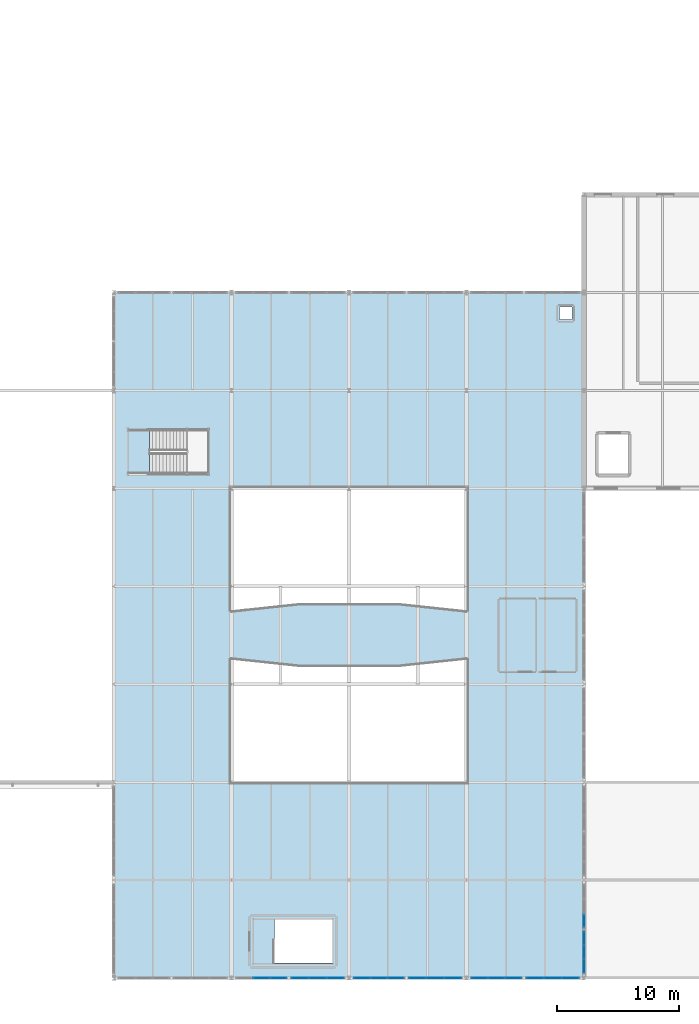
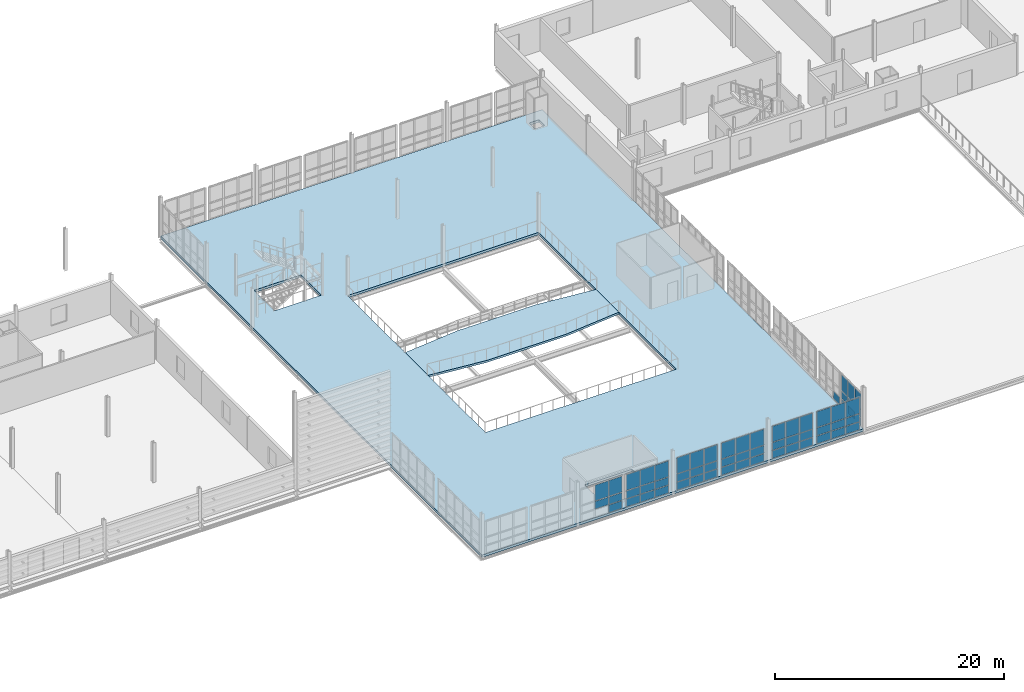
# One storey, part 48 of 73: 60 plates, 2 slabs, 8 elements without a shape of their own.
"""IFC4 building model written with IfcOpenShell, lengths in metres."""

from ifc_helpers import new_model, si_unit, direction, frame, origin, origin_2d, place, context, subcontext, project, spatial, polyline, rectangle, outline, extrude, material, layer, layer_set, type_object, element, aggregate, save


model = new_model("IFC4")

# Units and contexts
model_context = context("Model", 3, precision=1e-05, world=origin(), true_north=direction((0.0, 1.0)))
body_context = subcontext(model_context, "Body", "Model", "MODEL_VIEW")
ifc_project = project(units=[si_unit("LENGTHUNIT", "METRE"), si_unit("AREAUNIT", "SQUARE_METRE"), si_unit("VOLUMEUNIT", "CUBIC_METRE"), si_unit("PLANEANGLEUNIT", "RADIAN"), si_unit("MASSUNIT", "GRAM", prefix="KILO")], contexts=[model_context])

# Site, building, storey
site_placement = place(None, origin())
site = spatial("IfcSite", under=ifc_project, at=site_placement, CompositionType="ELEMENT")
building_placement = place(site_placement, origin())
building = spatial("IfcBuilding", under=site, at=building_placement, Name="Alderhovde Museum", CompositionType="ELEMENT")
storey_placement = place(building_placement, frame((0.0, 0.0, 12.89990234375)))
storey = spatial("IfcBuildingStorey", under=building, at=storey_placement, Name="L03", CompositionType="ELEMENT", Elevation=12.89990234375)

# Curtain wall, plates
ifc_material_1 = material(Name="Triple-Glazed Bronze-Anodised Curtain Wall", Category="glass")
ifc_layer_1 = layer(ifc_material_1, 0.179931640625)
ifc_layer_set_1 = layer_set([ifc_layer_1], Name="Triple-Glazed Bronze-Anodised Curtain Wall")
curtain_wall_type_1 = type_object("IfcCurtainWallType", Name="CW-UNIT-420x354", PredefinedType="USERDEFINED", material=ifc_layer_set_1)
curtain_wall_1_placement = place(storey_placement, origin())
curtain_wall_1 = element("IfcCurtainWall", 1, at=curtain_wall_1_placement, inside=storey, type_object=curtain_wall_type_1, Name="L03 Unitised Curtain Wall 60", ObjectType="UNITISED CURTAIN WALL", PredefinedType="USERDEFINED")
ifc_material_2 = material(Name="Triple-Glazed Low-E Laminated Glass", Category="glass")
ifc_layer_2 = layer(ifc_material_2, 0.028076171875)
ifc_layer_set_2 = layer_set([ifc_layer_2], Name="Triple-Glazed Low-E Laminated Glass")
plate_type_1 = type_object("IfcPlateType", Name="CWP-GLAZ-28", PredefinedType="CURTAIN_PANEL", material=ifc_layer_set_2)
plate_1_placement = place(storey_placement, frame((97.066162109375, 32.0, 0.06494140625), z_axis=(0.0, 0.0, 1.0), x_axis=(1.0, 0.0, 0.0)))
plate_1 = element("IfcPlate", 2, at=plate_1_placement, type_object=plate_type_1, Name="CW15 panel 1.1", PredefinedType="CURTAIN_PANEL", context=body_context, shape_type="SweptSolid", body=[
    extrude(rectangle(XDim=1.302490234375, YDim=0.028076171875, at=origin_2d()), origin(), (0.0, 0.0, 1.0), 0.802490234375),
])
plate_2_placement = place(storey_placement, frame((97.066162109375, 32.0, 0.9326171875), z_axis=(0.0, 0.0, 1.0), x_axis=(1.0, 0.0, 0.0)))
plate_2 = element("IfcPlate", 3, at=plate_2_placement, type_object=plate_type_1, Name="CW15 panel 1.2", PredefinedType="CURTAIN_PANEL", context=body_context, shape_type="SweptSolid", body=[
    extrude(rectangle(XDim=1.302490234375, YDim=0.028076171875, at=origin_2d()), origin(), (0.0, 0.0, 1.0), 0.804931640625),
])
plate_3_placement = place(storey_placement, frame((97.066162109375, 32.0, 1.802734375), z_axis=(0.0, 0.0, 1.0), x_axis=(1.0, 0.0, 0.0)))
plate_3 = element("IfcPlate", 4, at=plate_3_placement, type_object=plate_type_1, Name="CW15 panel 1.3", PredefinedType="CURTAIN_PANEL", context=body_context, shape_type="SweptSolid", body=[
    extrude(rectangle(XDim=1.302490234375, YDim=0.028076171875, at=origin_2d()), origin(), (0.0, 0.0, 1.0), 1.672607421875),
])
plate_4_placement = place(storey_placement, frame((98.449951171875, 32.0, 0.06494140625), z_axis=(0.0, 0.0, 1.0), x_axis=(1.0, 0.0, 0.0)))
plate_4 = element("IfcPlate", 5, at=plate_4_placement, type_object=plate_type_1, Name="CW15 panel 2.1", PredefinedType="CURTAIN_PANEL", context=body_context, shape_type="SweptSolid", body=[
    extrude(rectangle(XDim=1.3349609375, YDim=0.028076171875, at=origin_2d()), origin(), (0.0, 0.0, 1.0), 0.802490234375),
])
plate_5_placement = place(storey_placement, frame((98.449951171875, 32.0, 0.9326171875), z_axis=(0.0, 0.0, 1.0), x_axis=(1.0, 0.0, 0.0)))
plate_5 = element("IfcPlate", 6, at=plate_5_placement, type_object=plate_type_1, Name="CW15 panel 2.2", PredefinedType="CURTAIN_PANEL", context=body_context, shape_type="SweptSolid", body=[
    extrude(rectangle(XDim=1.3349609375, YDim=0.028076171875, at=origin_2d()), origin(), (0.0, 0.0, 1.0), 0.804931640625),
])
plate_6_placement = place(storey_placement, frame((98.449951171875, 32.0, 1.802734375), z_axis=(0.0, 0.0, 1.0), x_axis=(1.0, 0.0, 0.0)))
plate_6 = element("IfcPlate", 7, at=plate_6_placement, type_object=plate_type_1, Name="CW15 panel 2.3", PredefinedType="CURTAIN_PANEL", context=body_context, shape_type="SweptSolid", body=[
    extrude(rectangle(XDim=1.3349609375, YDim=0.028076171875, at=origin_2d()), origin(), (0.0, 0.0, 1.0), 1.672607421875),
])
plate_7_placement = place(storey_placement, frame((99.833740234375, 32.0, 0.06494140625), z_axis=(0.0, 0.0, 1.0), x_axis=(1.0, 0.0, 0.0)))
plate_7 = element("IfcPlate", 8, at=plate_7_placement, type_object=plate_type_1, Name="CW15 panel 3.1", PredefinedType="CURTAIN_PANEL", context=body_context, shape_type="SweptSolid", body=[
    extrude(rectangle(XDim=1.302490234375, YDim=0.028076171875, at=origin_2d()), origin(), (0.0, 0.0, 1.0), 0.802490234375),
])
plate_8_placement = place(storey_placement, frame((99.833740234375, 32.0, 0.9326171875), z_axis=(0.0, 0.0, 1.0), x_axis=(1.0, 0.0, 0.0)))
plate_8 = element("IfcPlate", 9, at=plate_8_placement, type_object=plate_type_1, Name="CW15 panel 3.2", PredefinedType="CURTAIN_PANEL", context=body_context, shape_type="SweptSolid", body=[
    extrude(rectangle(XDim=1.302490234375, YDim=0.028076171875, at=origin_2d()), origin(), (0.0, 0.0, 1.0), 0.804931640625),
])
plate_9_placement = place(storey_placement, frame((99.833740234375, 32.0, 1.802734375), z_axis=(0.0, 0.0, 1.0), x_axis=(1.0, 0.0, 0.0)))
plate_9 = element("IfcPlate", 10, at=plate_9_placement, type_object=plate_type_1, Name="CW15 panel 3.3", PredefinedType="CURTAIN_PANEL", context=body_context, shape_type="SweptSolid", body=[
    extrude(rectangle(XDim=1.302490234375, YDim=0.028076171875, at=origin_2d()), origin(), (0.0, 0.0, 1.0), 1.672607421875),
])
aggregate(curtain_wall_1, [plate_1, plate_2, plate_3, plate_4, plate_5, plate_6, plate_7, plate_8, plate_9])

ifc_material_3 = material(Name="Triple-Glazed Bronze-Anodised Curtain Wall", Category="glass")
ifc_layer_3 = layer(ifc_material_3, 0.179931640625)
ifc_layer_set_3 = layer_set([ifc_layer_3], Name="Triple-Glazed Bronze-Anodised Curtain Wall")
curtain_wall_type_2 = type_object("IfcCurtainWallType", Name="CW-UNIT-350x354", PredefinedType="USERDEFINED", material=ifc_layer_set_3)
curtain_wall_2_placement = place(storey_placement, origin())
curtain_wall_2 = element("IfcCurtainWall", 11, at=curtain_wall_2_placement, inside=storey, type_object=curtain_wall_type_2, Name="L03 Unitised Curtain Wall 68", ObjectType="UNITISED CURTAIN WALL", PredefinedType="USERDEFINED")
plate_10_placement = place(storey_placement, frame((115.199951171875, 32.949462890625, 0.06494140625), z_axis=(0.0, 0.0, 1.0), x_axis=(0.0, 1.0, 0.0)))
plate_10 = element("IfcPlate", 12, at=plate_10_placement, type_object=plate_type_1, Name="CW19 panel 1.1", PredefinedType="CURTAIN_PANEL", context=body_context, shape_type="SweptSolid", body=[
    extrude(rectangle(XDim=1.069091796875, YDim=0.028076171875, at=origin_2d()), origin(), (0.0, 0.0, 1.0), 0.802490234375),
])
plate_11_placement = place(storey_placement, frame((115.199951171875, 32.949462890625, 0.9326171875), z_axis=(0.0, 0.0, 1.0), x_axis=(0.0, 1.0, 0.0)))
plate_11 = element("IfcPlate", 13, at=plate_11_placement, type_object=plate_type_1, Name="CW19 panel 1.2", PredefinedType="CURTAIN_PANEL", context=body_context, shape_type="SweptSolid", body=[
    extrude(rectangle(XDim=1.069091796875, YDim=0.028076171875, at=origin_2d()), origin(), (0.0, 0.0, 1.0), 0.804931640625),
])
plate_12_placement = place(storey_placement, frame((115.199951171875, 32.949462890625, 1.802734375), z_axis=(0.0, 0.0, 1.0), x_axis=(0.0, 1.0, 0.0)))
plate_12 = element("IfcPlate", 14, at=plate_12_placement, type_object=plate_type_1, Name="CW19 panel 1.3", PredefinedType="CURTAIN_PANEL", context=body_context, shape_type="SweptSolid", body=[
    extrude(rectangle(XDim=1.069091796875, YDim=0.028076171875, at=origin_2d()), origin(), (0.0, 0.0, 1.0), 1.672607421875),
])
plate_13_placement = place(storey_placement, frame((115.199951171875, 34.10009765625, 0.06494140625), z_axis=(0.0, 0.0, 1.0), x_axis=(0.0, 1.0, 0.0)))
plate_13 = element("IfcPlate", 15, at=plate_13_placement, type_object=plate_type_1, Name="CW19 panel 2.1", PredefinedType="CURTAIN_PANEL", context=body_context, shape_type="SweptSolid", body=[
    extrude(rectangle(XDim=1.1015625, YDim=0.028076171875, at=origin_2d()), origin(), (0.0, 0.0, 1.0), 0.802490234375),
])
plate_14_placement = place(storey_placement, frame((115.199951171875, 34.10009765625, 0.9326171875), z_axis=(0.0, 0.0, 1.0), x_axis=(0.0, 1.0, 0.0)))
plate_14 = element("IfcPlate", 16, at=plate_14_placement, type_object=plate_type_1, Name="CW19 panel 2.2", PredefinedType="CURTAIN_PANEL", context=body_context, shape_type="SweptSolid", body=[
    extrude(rectangle(XDim=1.1015625, YDim=0.028076171875, at=origin_2d()), origin(), (0.0, 0.0, 1.0), 0.804931640625),
])
plate_15_placement = place(storey_placement, frame((115.199951171875, 34.10009765625, 1.802734375), z_axis=(0.0, 0.0, 1.0), x_axis=(0.0, 1.0, 0.0)))
plate_15 = element("IfcPlate", 17, at=plate_15_placement, type_object=plate_type_1, Name="CW19 panel 2.3", PredefinedType="CURTAIN_PANEL", context=body_context, shape_type="SweptSolid", body=[
    extrude(rectangle(XDim=1.1015625, YDim=0.028076171875, at=origin_2d()), origin(), (0.0, 0.0, 1.0), 1.672607421875),
])
plate_16_placement = place(storey_placement, frame((115.199951171875, 35.25048828125, 0.06494140625), z_axis=(0.0, 0.0, 1.0), x_axis=(0.0, 1.0, 0.0)))
plate_16 = element("IfcPlate", 18, at=plate_16_placement, type_object=plate_type_1, Name="CW19 panel 3.1", PredefinedType="CURTAIN_PANEL", context=body_context, shape_type="SweptSolid", body=[
    extrude(rectangle(XDim=1.069091796875, YDim=0.028076171875, at=origin_2d()), origin(), (0.0, 0.0, 1.0), 0.802490234375),
])
plate_17_placement = place(storey_placement, frame((115.199951171875, 35.25048828125, 0.9326171875), z_axis=(0.0, 0.0, 1.0), x_axis=(0.0, 1.0, 0.0)))
plate_17 = element("IfcPlate", 19, at=plate_17_placement, type_object=plate_type_1, Name="CW19 panel 3.2", PredefinedType="CURTAIN_PANEL", context=body_context, shape_type="SweptSolid", body=[
    extrude(rectangle(XDim=1.069091796875, YDim=0.028076171875, at=origin_2d()), origin(), (0.0, 0.0, 1.0), 0.804931640625),
])
plate_18_placement = place(storey_placement, frame((115.199951171875, 35.25048828125, 1.802734375), z_axis=(0.0, 0.0, 1.0), x_axis=(0.0, 1.0, 0.0)))
plate_18 = element("IfcPlate", 20, at=plate_18_placement, type_object=plate_type_1, Name="CW19 panel 3.3", PredefinedType="CURTAIN_PANEL", context=body_context, shape_type="SweptSolid", body=[
    extrude(rectangle(XDim=1.069091796875, YDim=0.028076171875, at=origin_2d()), origin(), (0.0, 0.0, 1.0), 1.672607421875),
])
aggregate(curtain_wall_2, [plate_10, plate_11, plate_12, plate_13, plate_14, plate_15, plate_16, plate_17, plate_18])

ifc_material_4 = material(Name="Triple-Glazed Bronze-Anodised Curtain Wall", Category="glass")
ifc_layer_4 = layer(ifc_material_4, 0.179931640625)
ifc_layer_set_4 = layer_set([ifc_layer_4], Name="Triple-Glazed Bronze-Anodised Curtain Wall")
curtain_wall_type_3 = type_object("IfcCurtainWallType", Name="CW-UNIT-440x354", PredefinedType="USERDEFINED", material=ifc_layer_set_4)
curtain_wall_3_placement = place(storey_placement, origin())
curtain_wall_3 = element("IfcCurtainWall", 21, at=curtain_wall_3_placement, inside=storey, type_object=curtain_wall_type_3, Name="L03 Unitised Curtain Wall 61", ObjectType="UNITISED CURTAIN WALL", PredefinedType="USERDEFINED")
ifc_material_5 = material(Name="Triple-Glazed Low-E Laminated Glass", Category="glass")
ifc_layer_5 = layer(ifc_material_5, 0.035888671875)
ifc_layer_set_5 = layer_set([ifc_layer_5], Name="Triple-Glazed Low-E Laminated Glass")
plate_type_2 = type_object("IfcPlateType", Name="CWP-GLAZ-36", PredefinedType="CURTAIN_PANEL", material=ifc_layer_set_5)
plate_19_placement = place(storey_placement, frame((101.599609375, 32.0, 0.06494140625), z_axis=(0.0, 0.0, 1.0), x_axis=(1.0, 0.0, 0.0)))
plate_19 = element("IfcPlate", 22, at=plate_19_placement, type_object=plate_type_2, Name="CW16 panel 1.1", PredefinedType="CURTAIN_PANEL", context=body_context, shape_type="SweptSolid", body=[
    extrude(rectangle(XDim=1.369140625, YDim=0.035888671875, at=origin_2d()), origin(), (0.0, 0.0, 1.0), 0.802490234375),
])
plate_20_placement = place(storey_placement, frame((101.599609375, 32.0, 0.9326171875), z_axis=(0.0, 0.0, 1.0), x_axis=(1.0, 0.0, 0.0)))
plate_20 = element("IfcPlate", 23, at=plate_20_placement, type_object=plate_type_2, Name="CW16 panel 1.2", PredefinedType="CURTAIN_PANEL", context=body_context, shape_type="SweptSolid", body=[
    extrude(rectangle(XDim=1.369140625, YDim=0.035888671875, at=origin_2d()), origin(), (0.0, 0.0, 1.0), 0.804931640625),
])
plate_21_placement = place(storey_placement, frame((101.599609375, 32.0, 1.802734375), z_axis=(0.0, 0.0, 1.0), x_axis=(1.0, 0.0, 0.0)))
plate_21 = element("IfcPlate", 24, at=plate_21_placement, type_object=plate_type_2, Name="CW16 panel 1.3", PredefinedType="CURTAIN_PANEL", context=body_context, shape_type="SweptSolid", body=[
    extrude(rectangle(XDim=1.369140625, YDim=0.035888671875, at=origin_2d()), origin(), (0.0, 0.0, 1.0), 1.672607421875),
])
plate_22_placement = place(storey_placement, frame((103.050048828125, 32.0, 0.06494140625), z_axis=(0.0, 0.0, 1.0), x_axis=(1.0, 0.0, 0.0)))
plate_22 = element("IfcPlate", 25, at=plate_22_placement, type_object=plate_type_2, Name="CW16 panel 2.1", PredefinedType="CURTAIN_PANEL", context=body_context, shape_type="SweptSolid", body=[
    extrude(rectangle(XDim=1.401611328125, YDim=0.035888671875, at=origin_2d()), origin(), (0.0, 0.0, 1.0), 0.802490234375),
])
plate_23_placement = place(storey_placement, frame((103.050048828125, 32.0, 0.9326171875), z_axis=(0.0, 0.0, 1.0), x_axis=(1.0, 0.0, 0.0)))
plate_23 = element("IfcPlate", 26, at=plate_23_placement, type_object=plate_type_2, Name="CW16 panel 2.2", PredefinedType="CURTAIN_PANEL", context=body_context, shape_type="SweptSolid", body=[
    extrude(rectangle(XDim=1.401611328125, YDim=0.035888671875, at=origin_2d()), origin(), (0.0, 0.0, 1.0), 0.804931640625),
])
plate_24_placement = place(storey_placement, frame((103.050048828125, 32.0, 1.802734375), z_axis=(0.0, 0.0, 1.0), x_axis=(1.0, 0.0, 0.0)))
plate_24 = element("IfcPlate", 27, at=plate_24_placement, type_object=plate_type_2, Name="CW16 panel 2.3", PredefinedType="CURTAIN_PANEL", context=body_context, shape_type="SweptSolid", body=[
    extrude(rectangle(XDim=1.401611328125, YDim=0.035888671875, at=origin_2d()), origin(), (0.0, 0.0, 1.0), 1.672607421875),
])
plate_25_placement = place(storey_placement, frame((104.50048828125, 32.0, 0.06494140625), z_axis=(0.0, 0.0, 1.0), x_axis=(1.0, 0.0, 0.0)))
plate_25 = element("IfcPlate", 28, at=plate_25_placement, type_object=plate_type_2, Name="CW16 panel 3.1", PredefinedType="CURTAIN_PANEL", context=body_context, shape_type="SweptSolid", body=[
    extrude(rectangle(XDim=1.369140625, YDim=0.035888671875, at=origin_2d()), origin(), (0.0, 0.0, 1.0), 0.802490234375),
])
plate_26_placement = place(storey_placement, frame((104.50048828125, 32.0, 0.9326171875), z_axis=(0.0, 0.0, 1.0), x_axis=(1.0, 0.0, 0.0)))
plate_26 = element("IfcPlate", 29, at=plate_26_placement, type_object=plate_type_2, Name="CW16 panel 3.2", PredefinedType="CURTAIN_PANEL", context=body_context, shape_type="SweptSolid", body=[
    extrude(rectangle(XDim=1.369140625, YDim=0.035888671875, at=origin_2d()), origin(), (0.0, 0.0, 1.0), 0.804931640625),
])
plate_27_placement = place(storey_placement, frame((104.50048828125, 32.0, 1.802734375), z_axis=(0.0, 0.0, 1.0), x_axis=(1.0, 0.0, 0.0)))
plate_27 = element("IfcPlate", 30, at=plate_27_placement, type_object=plate_type_2, Name="CW16 panel 3.3", PredefinedType="CURTAIN_PANEL", context=body_context, shape_type="SweptSolid", body=[
    extrude(rectangle(XDim=1.369140625, YDim=0.035888671875, at=origin_2d()), origin(), (0.0, 0.0, 1.0), 1.672607421875),
])
aggregate(curtain_wall_3, [plate_19, plate_20, plate_21, plate_22, plate_23, plate_24, plate_25, plate_26, plate_27])

# Curtain wall, plate
ifc_material_6 = material(Name="Triple-Glazed Bronze-Anodised Curtain Wall", Category="glass")
ifc_layer_6 = layer(ifc_material_6, 0.179931640625)
ifc_layer_set_6 = layer_set([ifc_layer_6], Name="Triple-Glazed Bronze-Anodised Curtain Wall")
curtain_wall_type_4 = type_object("IfcCurtainWallType", Name="CW-UNIT-360x354", PredefinedType="USERDEFINED", material=ifc_layer_set_6)
curtain_wall_4_placement = place(storey_placement, origin())
curtain_wall_4 = element("IfcCurtainWall", 31, at=curtain_wall_4_placement, inside=storey, type_object=curtain_wall_type_4, Name="L03 Unitised Curtain Wall 69", ObjectType="UNITISED CURTAIN WALL", PredefinedType="USERDEFINED")
plate_28_placement = place(storey_placement, frame((115.199951171875, 36.666259765625, 0.06494140625), z_axis=(0.0, 0.0, 1.0), x_axis=(0.0, 1.0, 0.0)))
plate_28 = element("IfcPlate", 32, at=plate_28_placement, type_object=plate_type_2, Name="CW20 panel 1.1", PredefinedType="CURTAIN_PANEL", context=body_context, shape_type="SweptSolid", body=[
    extrude(rectangle(XDim=1.1025390625, YDim=0.035888671875, at=origin_2d()), origin(), (0.0, 0.0, 1.0), 0.802490234375),
])
aggregate(curtain_wall_4, [plate_28])

# Curtain wall, plates
curtain_wall_5_placement = place(storey_placement, origin())
curtain_wall_5 = element("IfcCurtainWall", 33, at=curtain_wall_5_placement, inside=storey, type_object=curtain_wall_type_1, Name="L03 Unitised Curtain Wall 58", ObjectType="UNITISED CURTAIN WALL", PredefinedType="USERDEFINED")
ifc_material_7 = material(Name="Triple-Glazed Low-E Laminated Glass", Category="glass")
ifc_layer_7 = layer(ifc_material_7, 0.0439453125)
ifc_layer_set_7 = layer_set([ifc_layer_7], Name="Triple-Glazed Low-E Laminated Glass")
plate_type_3 = type_object("IfcPlateType", Name="CWP-GLAZ-44", PredefinedType="CURTAIN_PANEL", material=ifc_layer_set_7)
plate_29_placement = place(storey_placement, frame((88.85009765625, 32.0, 0.9326171875), z_axis=(0.0, 0.0, 1.0), x_axis=(1.0, 0.0, 0.0)))
plate_29 = element("IfcPlate", 34, at=plate_29_placement, type_object=plate_type_3, Name="CW15 panel 2.2", PredefinedType="CURTAIN_PANEL", context=body_context, shape_type="SweptSolid", body=[
    extrude(rectangle(XDim=1.3349609375, YDim=0.0439453125, at=origin_2d()), origin(), (0.0, 0.0, 1.0), 0.804931640625),
])
plate_30_placement = place(storey_placement, frame((88.85009765625, 32.0, 1.802734375), z_axis=(0.0, 0.0, 1.0), x_axis=(1.0, 0.0, 0.0)))
plate_30 = element("IfcPlate", 35, at=plate_30_placement, type_object=plate_type_3, Name="CW15 panel 2.3", PredefinedType="CURTAIN_PANEL", context=body_context, shape_type="SweptSolid", body=[
    extrude(rectangle(XDim=1.3349609375, YDim=0.0439453125, at=origin_2d()), origin(), (0.0, 0.0, 1.0), 1.672607421875),
])
plate_31_placement = place(storey_placement, frame((90.233642578125, 32.0, 0.06494140625), z_axis=(0.0, 0.0, 1.0), x_axis=(1.0, 0.0, 0.0)))
plate_31 = element("IfcPlate", 36, at=plate_31_placement, type_object=plate_type_3, Name="CW15 panel 3.1", PredefinedType="CURTAIN_PANEL", context=body_context, shape_type="SweptSolid", body=[
    extrude(rectangle(XDim=1.302490234375, YDim=0.0439453125, at=origin_2d()), origin(), (0.0, 0.0, 1.0), 0.802490234375),
])
plate_32_placement = place(storey_placement, frame((90.233642578125, 32.0, 0.9326171875), z_axis=(0.0, 0.0, 1.0), x_axis=(1.0, 0.0, 0.0)))
plate_32 = element("IfcPlate", 37, at=plate_32_placement, type_object=plate_type_3, Name="CW15 panel 3.2", PredefinedType="CURTAIN_PANEL", context=body_context, shape_type="SweptSolid", body=[
    extrude(rectangle(XDim=1.302490234375, YDim=0.0439453125, at=origin_2d()), origin(), (0.0, 0.0, 1.0), 0.804931640625),
])
plate_33_placement = place(storey_placement, frame((90.233642578125, 32.0, 1.802734375), z_axis=(0.0, 0.0, 1.0), x_axis=(1.0, 0.0, 0.0)))
plate_33 = element("IfcPlate", 38, at=plate_33_placement, type_object=plate_type_3, Name="CW15 panel 3.3", PredefinedType="CURTAIN_PANEL", context=body_context, shape_type="SweptSolid", body=[
    extrude(rectangle(XDim=1.302490234375, YDim=0.0439453125, at=origin_2d()), origin(), (0.0, 0.0, 1.0), 1.672607421875),
])
aggregate(curtain_wall_5, [plate_29, plate_30, plate_31, plate_32, plate_33])

curtain_wall_6_placement = place(storey_placement, origin())
curtain_wall_6 = element("IfcCurtainWall", 39, at=curtain_wall_6_placement, inside=storey, type_object=curtain_wall_type_1, Name="L03 Unitised Curtain Wall 62", ObjectType="UNITISED CURTAIN WALL", PredefinedType="USERDEFINED")
plate_34_placement = place(storey_placement, frame((106.666259765625, 32.0, 0.06494140625), z_axis=(0.0, 0.0, 1.0), x_axis=(1.0, 0.0, 0.0)))
plate_34 = element("IfcPlate", 40, at=plate_34_placement, type_object=plate_type_3, Name="CW15 panel 1.1", PredefinedType="CURTAIN_PANEL", context=body_context, shape_type="SweptSolid", body=[
    extrude(rectangle(XDim=1.302490234375, YDim=0.0439453125, at=origin_2d()), origin(), (0.0, 0.0, 1.0), 0.802490234375),
])
plate_35_placement = place(storey_placement, frame((106.666259765625, 32.0, 0.9326171875), z_axis=(0.0, 0.0, 1.0), x_axis=(1.0, 0.0, 0.0)))
plate_35 = element("IfcPlate", 41, at=plate_35_placement, type_object=plate_type_3, Name="CW15 panel 1.2", PredefinedType="CURTAIN_PANEL", context=body_context, shape_type="SweptSolid", body=[
    extrude(rectangle(XDim=1.302490234375, YDim=0.0439453125, at=origin_2d()), origin(), (0.0, 0.0, 1.0), 0.804931640625),
])
plate_36_placement = place(storey_placement, frame((106.666259765625, 32.0, 1.802734375), z_axis=(0.0, 0.0, 1.0), x_axis=(1.0, 0.0, 0.0)))
plate_36 = element("IfcPlate", 42, at=plate_36_placement, type_object=plate_type_3, Name="CW15 panel 1.3", PredefinedType="CURTAIN_PANEL", context=body_context, shape_type="SweptSolid", body=[
    extrude(rectangle(XDim=1.302490234375, YDim=0.0439453125, at=origin_2d()), origin(), (0.0, 0.0, 1.0), 1.672607421875),
])
plate_37_placement = place(storey_placement, frame((108.050048828125, 32.0, 0.06494140625), z_axis=(0.0, 0.0, 1.0), x_axis=(1.0, 0.0, 0.0)))
plate_37 = element("IfcPlate", 43, at=plate_37_placement, type_object=plate_type_3, Name="CW15 panel 2.1", PredefinedType="CURTAIN_PANEL", context=body_context, shape_type="SweptSolid", body=[
    extrude(rectangle(XDim=1.3349609375, YDim=0.0439453125, at=origin_2d()), origin(), (0.0, 0.0, 1.0), 0.802490234375),
])
plate_38_placement = place(storey_placement, frame((108.050048828125, 32.0, 0.9326171875), z_axis=(0.0, 0.0, 1.0), x_axis=(1.0, 0.0, 0.0)))
plate_38 = element("IfcPlate", 44, at=plate_38_placement, type_object=plate_type_3, Name="CW15 panel 2.2", PredefinedType="CURTAIN_PANEL", context=body_context, shape_type="SweptSolid", body=[
    extrude(rectangle(XDim=1.3349609375, YDim=0.0439453125, at=origin_2d()), origin(), (0.0, 0.0, 1.0), 0.804931640625),
])
plate_39_placement = place(storey_placement, frame((108.050048828125, 32.0, 1.802734375), z_axis=(0.0, 0.0, 1.0), x_axis=(1.0, 0.0, 0.0)))
plate_39 = element("IfcPlate", 45, at=plate_39_placement, type_object=plate_type_3, Name="CW15 panel 2.3", PredefinedType="CURTAIN_PANEL", context=body_context, shape_type="SweptSolid", body=[
    extrude(rectangle(XDim=1.3349609375, YDim=0.0439453125, at=origin_2d()), origin(), (0.0, 0.0, 1.0), 1.672607421875),
])
plate_40_placement = place(storey_placement, frame((109.433837890625, 32.0, 0.06494140625), z_axis=(0.0, 0.0, 1.0), x_axis=(1.0, 0.0, 0.0)))
plate_40 = element("IfcPlate", 46, at=plate_40_placement, type_object=plate_type_3, Name="CW15 panel 3.1", PredefinedType="CURTAIN_PANEL", context=body_context, shape_type="SweptSolid", body=[
    extrude(rectangle(XDim=1.302490234375, YDim=0.0439453125, at=origin_2d()), origin(), (0.0, 0.0, 1.0), 0.802490234375),
])
plate_41_placement = place(storey_placement, frame((109.433837890625, 32.0, 0.9326171875), z_axis=(0.0, 0.0, 1.0), x_axis=(1.0, 0.0, 0.0)))
plate_41 = element("IfcPlate", 47, at=plate_41_placement, type_object=plate_type_3, Name="CW15 panel 3.2", PredefinedType="CURTAIN_PANEL", context=body_context, shape_type="SweptSolid", body=[
    extrude(rectangle(XDim=1.302490234375, YDim=0.0439453125, at=origin_2d()), origin(), (0.0, 0.0, 1.0), 0.804931640625),
])
plate_42_placement = place(storey_placement, frame((109.433837890625, 32.0, 1.802734375), z_axis=(0.0, 0.0, 1.0), x_axis=(1.0, 0.0, 0.0)))
plate_42 = element("IfcPlate", 48, at=plate_42_placement, type_object=plate_type_3, Name="CW15 panel 3.3", PredefinedType="CURTAIN_PANEL", context=body_context, shape_type="SweptSolid", body=[
    extrude(rectangle(XDim=1.302490234375, YDim=0.0439453125, at=origin_2d()), origin(), (0.0, 0.0, 1.0), 1.672607421875),
])
aggregate(curtain_wall_6, [plate_34, plate_35, plate_36, plate_37, plate_38, plate_39, plate_40, plate_41, plate_42])

curtain_wall_7_placement = place(storey_placement, origin())
curtain_wall_7 = element("IfcCurtainWall", 49, at=curtain_wall_7_placement, inside=storey, type_object=curtain_wall_type_3, Name="L03 Unitised Curtain Wall 59", ObjectType="UNITISED CURTAIN WALL", PredefinedType="USERDEFINED")
ifc_material_8 = material(Name="Triple-Glazed Low-E Laminated Glass", Category="glass")
ifc_layer_8 = layer(ifc_material_8, 0.052001953125)
ifc_layer_set_8 = layer_set([ifc_layer_8], Name="Triple-Glazed Low-E Laminated Glass")
plate_type_4 = type_object("IfcPlateType", Name="CWP-GLAZ-52", PredefinedType="CURTAIN_PANEL", material=ifc_layer_set_8)
plate_43_placement = place(storey_placement, frame((91.99951171875, 32.0, 0.06494140625), z_axis=(0.0, 0.0, 1.0), x_axis=(1.0, 0.0, 0.0)))
plate_43 = element("IfcPlate", 50, at=plate_43_placement, type_object=plate_type_4, Name="CW16 panel 1.1", PredefinedType="CURTAIN_PANEL", context=body_context, shape_type="SweptSolid", body=[
    extrude(rectangle(XDim=1.369140625, YDim=0.052001953125, at=origin_2d()), origin(), (0.0, 0.0, 1.0), 0.802490234375),
])
plate_44_placement = place(storey_placement, frame((91.99951171875, 32.0, 0.9326171875), z_axis=(0.0, 0.0, 1.0), x_axis=(1.0, 0.0, 0.0)))
plate_44 = element("IfcPlate", 51, at=plate_44_placement, type_object=plate_type_4, Name="CW16 panel 1.2", PredefinedType="CURTAIN_PANEL", context=body_context, shape_type="SweptSolid", body=[
    extrude(rectangle(XDim=1.369140625, YDim=0.052001953125, at=origin_2d()), origin(), (0.0, 0.0, 1.0), 0.804931640625),
])
plate_45_placement = place(storey_placement, frame((91.99951171875, 32.0, 1.802734375), z_axis=(0.0, 0.0, 1.0), x_axis=(1.0, 0.0, 0.0)))
plate_45 = element("IfcPlate", 52, at=plate_45_placement, type_object=plate_type_4, Name="CW16 panel 1.3", PredefinedType="CURTAIN_PANEL", context=body_context, shape_type="SweptSolid", body=[
    extrude(rectangle(XDim=1.369140625, YDim=0.052001953125, at=origin_2d()), origin(), (0.0, 0.0, 1.0), 1.672607421875),
])
plate_46_placement = place(storey_placement, frame((93.449951171875, 32.0, 0.06494140625), z_axis=(0.0, 0.0, 1.0), x_axis=(1.0, 0.0, 0.0)))
plate_46 = element("IfcPlate", 53, at=plate_46_placement, type_object=plate_type_4, Name="CW16 panel 2.1", PredefinedType="CURTAIN_PANEL", context=body_context, shape_type="SweptSolid", body=[
    extrude(rectangle(XDim=1.401611328125, YDim=0.052001953125, at=origin_2d()), origin(), (0.0, 0.0, 1.0), 0.802490234375),
])
plate_47_placement = place(storey_placement, frame((93.449951171875, 32.0, 0.9326171875), z_axis=(0.0, 0.0, 1.0), x_axis=(1.0, 0.0, 0.0)))
plate_47 = element("IfcPlate", 54, at=plate_47_placement, type_object=plate_type_4, Name="CW16 panel 2.2", PredefinedType="CURTAIN_PANEL", context=body_context, shape_type="SweptSolid", body=[
    extrude(rectangle(XDim=1.401611328125, YDim=0.052001953125, at=origin_2d()), origin(), (0.0, 0.0, 1.0), 0.804931640625),
])
plate_48_placement = place(storey_placement, frame((93.449951171875, 32.0, 1.802734375), z_axis=(0.0, 0.0, 1.0), x_axis=(1.0, 0.0, 0.0)))
plate_48 = element("IfcPlate", 55, at=plate_48_placement, type_object=plate_type_4, Name="CW16 panel 2.3", PredefinedType="CURTAIN_PANEL", context=body_context, shape_type="SweptSolid", body=[
    extrude(rectangle(XDim=1.401611328125, YDim=0.052001953125, at=origin_2d()), origin(), (0.0, 0.0, 1.0), 1.672607421875),
])
plate_49_placement = place(storey_placement, frame((94.900390625, 32.0, 0.06494140625), z_axis=(0.0, 0.0, 1.0), x_axis=(1.0, 0.0, 0.0)))
plate_49 = element("IfcPlate", 56, at=plate_49_placement, type_object=plate_type_4, Name="CW16 panel 3.1", PredefinedType="CURTAIN_PANEL", context=body_context, shape_type="SweptSolid", body=[
    extrude(rectangle(XDim=1.369140625, YDim=0.052001953125, at=origin_2d()), origin(), (0.0, 0.0, 1.0), 0.802490234375),
])
plate_50_placement = place(storey_placement, frame((94.900390625, 32.0, 0.9326171875), z_axis=(0.0, 0.0, 1.0), x_axis=(1.0, 0.0, 0.0)))
plate_50 = element("IfcPlate", 57, at=plate_50_placement, type_object=plate_type_4, Name="CW16 panel 3.2", PredefinedType="CURTAIN_PANEL", context=body_context, shape_type="SweptSolid", body=[
    extrude(rectangle(XDim=1.369140625, YDim=0.052001953125, at=origin_2d()), origin(), (0.0, 0.0, 1.0), 0.804931640625),
])
plate_51_placement = place(storey_placement, frame((94.900390625, 32.0, 1.802734375), z_axis=(0.0, 0.0, 1.0), x_axis=(1.0, 0.0, 0.0)))
plate_51 = element("IfcPlate", 58, at=plate_51_placement, type_object=plate_type_4, Name="CW16 panel 3.3", PredefinedType="CURTAIN_PANEL", context=body_context, shape_type="SweptSolid", body=[
    extrude(rectangle(XDim=1.369140625, YDim=0.052001953125, at=origin_2d()), origin(), (0.0, 0.0, 1.0), 1.672607421875),
])
aggregate(curtain_wall_7, [plate_43, plate_44, plate_45, plate_46, plate_47, plate_48, plate_49, plate_50, plate_51])

curtain_wall_8_placement = place(storey_placement, origin())
curtain_wall_8 = element("IfcCurtainWall", 59, at=curtain_wall_8_placement, inside=storey, type_object=curtain_wall_type_3, Name="L03 Unitised Curtain Wall 63", ObjectType="UNITISED CURTAIN WALL", PredefinedType="USERDEFINED")
plate_52_placement = place(storey_placement, frame((111.199462890625, 32.0, 0.06494140625), z_axis=(0.0, 0.0, 1.0), x_axis=(1.0, 0.0, 0.0)))
plate_52 = element("IfcPlate", 60, at=plate_52_placement, type_object=plate_type_4, Name="CW16 panel 1.1", PredefinedType="CURTAIN_PANEL", context=body_context, shape_type="SweptSolid", body=[
    extrude(rectangle(XDim=1.369140625, YDim=0.052001953125, at=origin_2d()), origin(), (0.0, 0.0, 1.0), 0.802490234375),
])
plate_53_placement = place(storey_placement, frame((111.199462890625, 32.0, 0.9326171875), z_axis=(0.0, 0.0, 1.0), x_axis=(1.0, 0.0, 0.0)))
plate_53 = element("IfcPlate", 61, at=plate_53_placement, type_object=plate_type_4, Name="CW16 panel 1.2", PredefinedType="CURTAIN_PANEL", context=body_context, shape_type="SweptSolid", body=[
    extrude(rectangle(XDim=1.369140625, YDim=0.052001953125, at=origin_2d()), origin(), (0.0, 0.0, 1.0), 0.804931640625),
])
plate_54_placement = place(storey_placement, frame((111.199462890625, 32.0, 1.802734375), z_axis=(0.0, 0.0, 1.0), x_axis=(1.0, 0.0, 0.0)))
plate_54 = element("IfcPlate", 62, at=plate_54_placement, type_object=plate_type_4, Name="CW16 panel 1.3", PredefinedType="CURTAIN_PANEL", context=body_context, shape_type="SweptSolid", body=[
    extrude(rectangle(XDim=1.369140625, YDim=0.052001953125, at=origin_2d()), origin(), (0.0, 0.0, 1.0), 1.672607421875),
])
plate_55_placement = place(storey_placement, frame((112.64990234375, 32.0, 0.06494140625), z_axis=(0.0, 0.0, 1.0), x_axis=(1.0, 0.0, 0.0)))
plate_55 = element("IfcPlate", 63, at=plate_55_placement, type_object=plate_type_4, Name="CW16 panel 2.1", PredefinedType="CURTAIN_PANEL", context=body_context, shape_type="SweptSolid", body=[
    extrude(rectangle(XDim=1.401611328125, YDim=0.052001953125, at=origin_2d()), origin(), (0.0, 0.0, 1.0), 0.802490234375),
])
plate_56_placement = place(storey_placement, frame((112.64990234375, 32.0, 0.9326171875), z_axis=(0.0, 0.0, 1.0), x_axis=(1.0, 0.0, 0.0)))
plate_56 = element("IfcPlate", 64, at=plate_56_placement, type_object=plate_type_4, Name="CW16 panel 2.2", PredefinedType="CURTAIN_PANEL", context=body_context, shape_type="SweptSolid", body=[
    extrude(rectangle(XDim=1.401611328125, YDim=0.052001953125, at=origin_2d()), origin(), (0.0, 0.0, 1.0), 0.804931640625),
])
plate_57_placement = place(storey_placement, frame((112.64990234375, 32.0, 1.802734375), z_axis=(0.0, 0.0, 1.0), x_axis=(1.0, 0.0, 0.0)))
plate_57 = element("IfcPlate", 65, at=plate_57_placement, type_object=plate_type_4, Name="CW16 panel 2.3", PredefinedType="CURTAIN_PANEL", context=body_context, shape_type="SweptSolid", body=[
    extrude(rectangle(XDim=1.401611328125, YDim=0.052001953125, at=origin_2d()), origin(), (0.0, 0.0, 1.0), 1.672607421875),
])
plate_58_placement = place(storey_placement, frame((114.100341796875, 32.0, 0.06494140625), z_axis=(0.0, 0.0, 1.0), x_axis=(1.0, 0.0, 0.0)))
plate_58 = element("IfcPlate", 66, at=plate_58_placement, type_object=plate_type_4, Name="CW16 panel 3.1", PredefinedType="CURTAIN_PANEL", context=body_context, shape_type="SweptSolid", body=[
    extrude(rectangle(XDim=1.369140625, YDim=0.052001953125, at=origin_2d()), origin(), (0.0, 0.0, 1.0), 0.802490234375),
])
plate_59_placement = place(storey_placement, frame((114.100341796875, 32.0, 0.9326171875), z_axis=(0.0, 0.0, 1.0), x_axis=(1.0, 0.0, 0.0)))
plate_59 = element("IfcPlate", 67, at=plate_59_placement, type_object=plate_type_4, Name="CW16 panel 3.2", PredefinedType="CURTAIN_PANEL", context=body_context, shape_type="SweptSolid", body=[
    extrude(rectangle(XDim=1.369140625, YDim=0.052001953125, at=origin_2d()), origin(), (0.0, 0.0, 1.0), 0.804931640625),
])
plate_60_placement = place(storey_placement, frame((114.100341796875, 32.0, 1.802734375), z_axis=(0.0, 0.0, 1.0), x_axis=(1.0, 0.0, 0.0)))
plate_60 = element("IfcPlate", 68, at=plate_60_placement, type_object=plate_type_4, Name="CW16 panel 3.3", PredefinedType="CURTAIN_PANEL", context=body_context, shape_type="SweptSolid", body=[
    extrude(rectangle(XDim=1.369140625, YDim=0.052001953125, at=origin_2d()), origin(), (0.0, 0.0, 1.0), 1.672607421875),
])
aggregate(curtain_wall_8, [plate_52, plate_53, plate_54, plate_55, plate_56, plate_57, plate_58, plate_59, plate_60])

# Slabs
ifc_material_9 = material(Name="Concrete C35/45", Category="concrete")
ifc_layer_9 = layer(ifc_material_9, 0.219970703125)
ifc_layer_set_9 = layer_set([ifc_layer_9], Name="Concrete C35/45")
slab_type_1 = type_object("IfcSlabType", Name="SLB-BRIDGE-220", PredefinedType="FLOOR", material=ifc_layer_set_9)
slab_1_placement = place(storey_placement, frame((0.0, 0.0, -0.219970703125)))
element("IfcSlab", 69, at=slab_1_placement, inside=storey, type_object=slab_type_1, Name="L03 Conservatory Atrium Bridge Slab", PredefinedType="FLOOR", context=body_context, shape_type="SweptSolid", body=[
    extrude(outline(polyline([(86.39990234375, 58.0), (92.0, 57.39990234375), (100.0, 57.39990234375), (105.60009765625, 58.0), (105.60009765625, 62.0), (100.0, 62.60009765625), (92.0, 62.60009765625), (86.39990234375, 62.0), (86.39990234375, 58.0)])), origin(), (0.0, 0.0, 1.0), 0.219970703125),
])
ifc_material_10 = material(Name="Concrete C35/45", Category="concrete")
ifc_layer_10 = layer(ifc_material_10, 0.260009765625)
ifc_layer_set_10 = layer_set([ifc_layer_10], Name="Concrete C35/45")
slab_type_2 = type_object("IfcSlabType", Name="SLB-FLR-260", PredefinedType="FLOOR", material=ifc_layer_set_10)
slab_2_placement = place(storey_placement, frame((0.0, 0.0, -0.260009765625)))
element("IfcSlab", 70, at=slab_2_placement, inside=storey, type_object=slab_type_2, Name="L03 VOL2 Structural Slab", PredefinedType="FLOOR", context=body_context, shape_type="SweptSolid", body=[
    extrude(outline(polyline([(76.800048828125, 32.0), (115.199951171875, 32.0), (115.199951171875, 88.0), (76.800048828125, 88.0), (76.800048828125, 32.0)]), holes=[polyline([(89.909912109375, 33.199951171875), (94.639892578125, 33.199951171875), (94.639892578125, 36.760009765625), (89.909912109375, 36.760009765625), (89.909912109375, 33.199951171875)]), polyline([(79.7099609375, 73.199951171875), (84.43994140625, 73.199951171875), (84.43994140625, 76.760009765625), (79.7099609375, 76.760009765625), (79.7099609375, 73.199951171875)]), polyline([(86.39990234375, 48.0), (105.60009765625, 48.0), (105.60009765625, 72.0), (86.39990234375, 72.0), (86.39990234375, 48.0)]), polyline([(113.199951171875, 85.800048828125), (114.199951171875, 85.800048828125), (114.199951171875, 86.800048828125), (113.199951171875, 86.800048828125), (113.199951171875, 85.800048828125)])]), origin(), (0.0, 0.0, 1.0), 0.260009765625),
])

save(model, "model.ifc")
